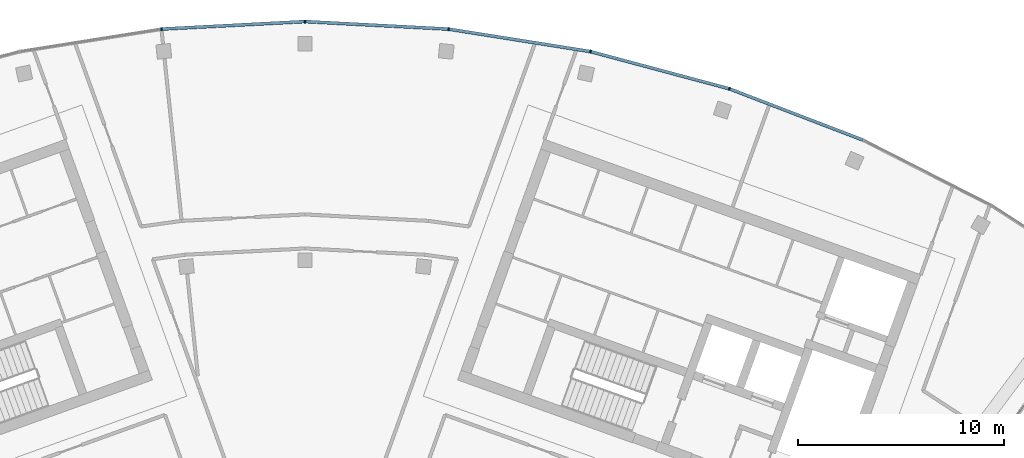
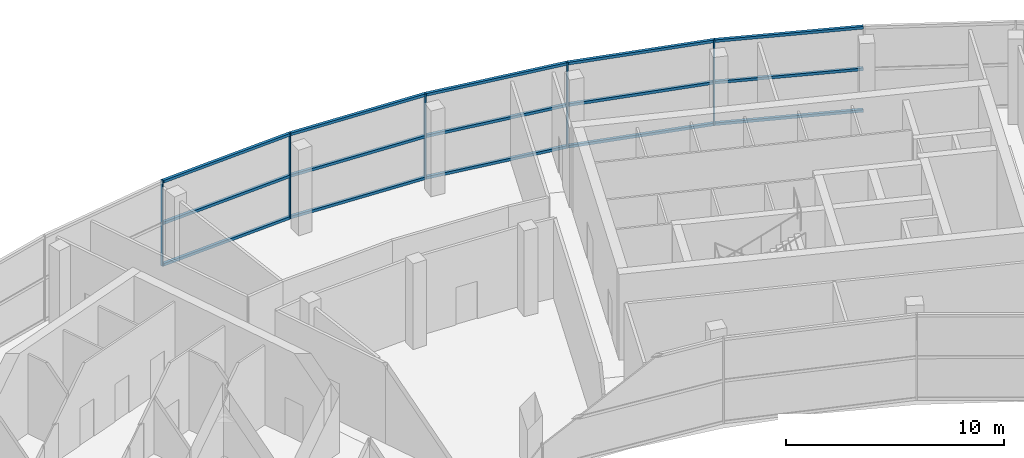
# One storey, part 5 of 13: 20 members, 1 element without a shape of its own.
"""IFC4 building model written with IfcOpenShell, lengths in metres."""

from ifc_helpers import new_model, si_unit, direction, frame, origin, origin_2d, place, context, subcontext, project, spatial, rectangle, extrude, material, layer, layer_set, material_profile, profile_set, type_object, element, aggregate, save


model = new_model("IFC4")

# Units and contexts
model_context = context("Model", 3, precision=1e-05, world=origin(), true_north=direction((0.0, 1.0)))
body_context = subcontext(model_context, "Body", "Model", "MODEL_VIEW")
ifc_project = project(units=[si_unit("LENGTHUNIT", "METRE"), si_unit("AREAUNIT", "SQUARE_METRE"), si_unit("VOLUMEUNIT", "CUBIC_METRE"), si_unit("PLANEANGLEUNIT", "RADIAN"), si_unit("MASSUNIT", "GRAM", prefix="KILO")], contexts=[model_context])

# Site, building, storey
site_placement = place(None, origin())
site = spatial("IfcSite", under=ifc_project, at=site_placement, CompositionType="ELEMENT")
building_placement = place(site_placement, origin())
building = spatial("IfcBuilding", under=site, at=building_placement, Name="Stone Belt Terrace Tower", CompositionType="ELEMENT")
storey_placement = place(building_placement, frame((0.0, 0.0, 332.60009765625)))
storey = spatial("IfcBuildingStorey", under=building, at=storey_placement, Name="L79", CompositionType="ELEMENT", Elevation=332.60009765625)

# Curtain wall, members
ifc_material = material(Name="Aluminium 6063-T6 anodised frame", Category="aluminium")
ifc_layer = layer(ifc_material, 0.14990234375)
ifc_layer_set = layer_set([ifc_layer], Name="CW-F observation floor curtain wall")
curtain_wall_type = type_object("IfcCurtainWallType", Name="CW-F observation floor curtain wall", PredefinedType="NOTDEFINED", material=ifc_layer_set)
curtain_wall_placement = place(storey_placement, origin())
curtain_wall = element("IfcCurtainWall", 1, at=curtain_wall_placement, inside=storey, type_object=curtain_wall_type, Name="CW-F convex face L79", PredefinedType="NOTDEFINED")
ifc_material_profile_1 = material_profile(ifc_material, rectangle(XDim=0.14990234375, YDim=0.070068359375, at=origin_2d()), Name="Aluminium 6063-T6 70x150")
ifc_profile_set_1 = profile_set([ifc_material_profile_1], Name="Aluminium 6063-T6 anodised frame")
member_type_1 = type_object("IfcMemberType", Name="CW-F mullion 70 x 150", PredefinedType="MULLION", material=ifc_profile_set_1)
member_1_placement = place(storey_placement, frame((20.57275390625, 63.316650390625, 0.0), z_axis=(0.0, 0.0, 1.0), x_axis=(-0.309016994375, -0.951056516295, 0.0)))
member_1 = element("IfcMember", 2, at=member_1_placement, type_object=member_type_1, Name="CW-F mullion 4", PredefinedType="MULLION", context=body_context, shape_type="SweptSolid", body=[
    extrude(rectangle(XDim=0.14990234375, YDim=0.070068359375, at=origin_2d()), origin(), (0.0, 0.0, 1.0), 4.7998046875),
])
member_2_placement = place(storey_placement, frame((13.841796875, 65.120361328125, 0.0), z_axis=(0.0, 0.0, 1.0), x_axis=(-0.207911690818, -0.978147600734, 0.0)))
member_2 = element("IfcMember", 3, at=member_2_placement, type_object=member_type_1, Name="CW-F mullion 5", PredefinedType="MULLION", context=body_context, shape_type="SweptSolid", body=[
    extrude(rectangle(XDim=0.14990234375, YDim=0.070068359375, at=origin_2d()), origin(), (0.0, 0.0, 1.0), 4.7998046875),
])
member_3_placement = place(storey_placement, frame((6.958984375, 66.21044921875, 0.0), z_axis=(0.0, 0.0, 1.0), x_axis=(-0.104528463268, -0.994521895368, 0.0)))
member_3 = element("IfcMember", 4, at=member_3_placement, type_object=member_type_1, Name="CW-F mullion 6", PredefinedType="MULLION", context=body_context, shape_type="SweptSolid", body=[
    extrude(rectangle(XDim=0.14990234375, YDim=0.070068359375, at=origin_2d()), origin(), (0.0, 0.0, 1.0), 4.7998046875),
])
member_4_placement = place(storey_placement, frame((0.0, 66.5751953125, 0.0), z_axis=(0.0, 0.0, 1.0), x_axis=(0.0, -1.0, 0.0)))
member_4 = element("IfcMember", 5, at=member_4_placement, type_object=member_type_1, Name="CW-F mullion 7", PredefinedType="MULLION", context=body_context, shape_type="SweptSolid", body=[
    extrude(rectangle(XDim=0.14990234375, YDim=0.070068359375, at=origin_2d()), origin(), (0.0, 0.0, 1.0), 4.7998046875),
])
member_5_placement = place(storey_placement, frame((-6.958984375, 66.21044921875, 0.0), z_axis=(0.0, 0.0, 1.0), x_axis=(0.104528463268, -0.994521895368, 0.0)))
member_5 = element("IfcMember", 6, at=member_5_placement, type_object=member_type_1, Name="CW-F mullion 8", PredefinedType="MULLION", context=body_context, shape_type="SweptSolid", body=[
    extrude(rectangle(XDim=0.14990234375, YDim=0.070068359375, at=origin_2d()), origin(), (0.0, 0.0, 1.0), 4.7998046875),
])
ifc_material_profile_2 = material_profile(ifc_material, rectangle(XDim=0.14990234375, YDim=0.14990234375, at=origin_2d()), Name="Aluminium 6063-T6 150x150")
ifc_profile_set_2 = profile_set([ifc_material_profile_2], Name="Aluminium 6063-T6 anodised frame")
member_type_2 = type_object("IfcMemberType", Name="CW-F transom 150 x 150", PredefinedType="USERDEFINED", material=ifc_profile_set_2)
member_6_placement = place(storey_placement, frame((27.042236328125, 60.833251953125, 0.074951171875), z_axis=(-0.933578261099, 0.358373590551, 0.0), x_axis=(-0.358373590551, -0.933578261099, 0.0)))
member_6 = element("IfcMember", 7, at=member_6_placement, type_object=member_type_2, Name="CW-F transom 3.1", ObjectType="TRANSOM", PredefinedType="USERDEFINED", context=body_context, shape_type="SweptSolid", body=[
    extrude(rectangle(XDim=0.14990234375, YDim=0.14990234375, at=origin_2d()), origin(), (0.0, 0.0, 1.0), 6.890869140625),
])
member_7_placement = place(storey_placement, frame((27.042236328125, 60.833251953125, 2.39990234375), z_axis=(-0.933578261099, 0.358373590551, 0.0), x_axis=(-0.358373590551, -0.933578261099, 0.0)))
member_7 = element("IfcMember", 8, at=member_7_placement, type_object=member_type_2, Name="CW-F transom 3.2", ObjectType="TRANSOM", PredefinedType="USERDEFINED", context=body_context, shape_type="SweptSolid", body=[
    extrude(rectangle(XDim=0.14990234375, YDim=0.14990234375, at=origin_2d()), origin(), (0.0, 0.0, 1.0), 6.890869140625),
])
member_8_placement = place(storey_placement, frame((27.042236328125, 60.833251953125, 4.724853515625), z_axis=(-0.933578261099, 0.358373590551, 0.0), x_axis=(-0.358373590551, -0.933578261099, 0.0)))
member_8 = element("IfcMember", 9, at=member_8_placement, type_object=member_type_2, Name="CW-F transom 3.3", ObjectType="TRANSOM", PredefinedType="USERDEFINED", context=body_context, shape_type="SweptSolid", body=[
    extrude(rectangle(XDim=0.14990234375, YDim=0.14990234375, at=origin_2d()), origin(), (0.0, 0.0, 1.0), 6.890869140625),
])
member_9_placement = place(storey_placement, frame((20.535400390625, 63.32666015625, 0.074951171875), z_axis=(-0.965926701698, 0.258815778011, 0.0), x_axis=(-0.258815778011, -0.965926701698, 0.0)))
member_9 = element("IfcMember", 10, at=member_9_placement, type_object=member_type_2, Name="CW-F transom 4.1", ObjectType="TRANSOM", PredefinedType="USERDEFINED", context=body_context, shape_type="SweptSolid", body=[
    extrude(rectangle(XDim=0.14990234375, YDim=0.14990234375, at=origin_2d()), origin(), (0.0, 0.0, 1.0), 6.890869140625),
])
member_10_placement = place(storey_placement, frame((20.535400390625, 63.32666015625, 2.39990234375), z_axis=(-0.965926701698, 0.258815778011, 0.0), x_axis=(-0.258815778011, -0.965926701698, 0.0)))
member_10 = element("IfcMember", 11, at=member_10_placement, type_object=member_type_2, Name="CW-F transom 4.2", ObjectType="TRANSOM", PredefinedType="USERDEFINED", context=body_context, shape_type="SweptSolid", body=[
    extrude(rectangle(XDim=0.14990234375, YDim=0.14990234375, at=origin_2d()), origin(), (0.0, 0.0, 1.0), 6.890869140625),
])
member_11_placement = place(storey_placement, frame((20.535400390625, 63.32666015625, 4.724853515625), z_axis=(-0.965926701698, 0.258815778011, 0.0), x_axis=(-0.258815778011, -0.965926701698, 0.0)))
member_11 = element("IfcMember", 12, at=member_11_placement, type_object=member_type_2, Name="CW-F transom 4.3", ObjectType="TRANSOM", PredefinedType="USERDEFINED", context=body_context, shape_type="SweptSolid", body=[
    extrude(rectangle(XDim=0.14990234375, YDim=0.14990234375, at=origin_2d()), origin(), (0.0, 0.0, 1.0), 6.890869140625),
])
member_12_placement = place(storey_placement, frame((13.80322265625, 65.12646484375, 0.074951171875), z_axis=(-0.987689890003, 0.156424682152, 0.0), x_axis=(-0.156424682152, -0.987689890003, 0.0)))
member_12 = element("IfcMember", 13, at=member_12_placement, type_object=member_type_2, Name="CW-F transom 5.1", ObjectType="TRANSOM", PredefinedType="USERDEFINED", context=body_context, shape_type="SweptSolid", body=[
    extrude(rectangle(XDim=0.14990234375, YDim=0.14990234375, at=origin_2d()), origin(), (0.0, 0.0, 1.0), 6.890625),
])
member_13_placement = place(storey_placement, frame((13.80322265625, 65.12646484375, 2.39990234375), z_axis=(-0.987689890003, 0.156424682152, 0.0), x_axis=(-0.156424682152, -0.987689890003, 0.0)))
member_13 = element("IfcMember", 14, at=member_13_placement, type_object=member_type_2, Name="CW-F transom 5.2", ObjectType="TRANSOM", PredefinedType="USERDEFINED", context=body_context, shape_type="SweptSolid", body=[
    extrude(rectangle(XDim=0.14990234375, YDim=0.14990234375, at=origin_2d()), origin(), (0.0, 0.0, 1.0), 6.890625),
])
member_14_placement = place(storey_placement, frame((13.80322265625, 65.12646484375, 4.724853515625), z_axis=(-0.987689890003, 0.156424682152, 0.0), x_axis=(-0.156424682152, -0.987689890003, 0.0)))
member_14 = element("IfcMember", 15, at=member_14_placement, type_object=member_type_2, Name="CW-F transom 5.3", ObjectType="TRANSOM", PredefinedType="USERDEFINED", context=body_context, shape_type="SweptSolid", body=[
    extrude(rectangle(XDim=0.14990234375, YDim=0.14990234375, at=origin_2d()), origin(), (0.0, 0.0, 1.0), 6.890625),
])
member_15_placement = place(storey_placement, frame((6.920166015625, 66.21240234375, 0.074951171875), z_axis=(-0.998629841506, 0.052330102743, 0.0), x_axis=(-0.052330102743, -0.998629841506, 0.0)))
member_15 = element("IfcMember", 16, at=member_15_placement, type_object=member_type_2, Name="CW-F transom 6.1", ObjectType="TRANSOM", PredefinedType="USERDEFINED", context=body_context, shape_type="SweptSolid", body=[
    extrude(rectangle(XDim=0.14990234375, YDim=0.14990234375, at=origin_2d()), origin(), (0.0, 0.0, 1.0), 6.890869140625),
])
member_16_placement = place(storey_placement, frame((6.920166015625, 66.21240234375, 2.39990234375), z_axis=(-0.998629841506, 0.052330102743, 0.0), x_axis=(-0.052330102743, -0.998629841506, 0.0)))
member_16 = element("IfcMember", 17, at=member_16_placement, type_object=member_type_2, Name="CW-F transom 6.2", ObjectType="TRANSOM", PredefinedType="USERDEFINED", context=body_context, shape_type="SweptSolid", body=[
    extrude(rectangle(XDim=0.14990234375, YDim=0.14990234375, at=origin_2d()), origin(), (0.0, 0.0, 1.0), 6.890869140625),
])
member_17_placement = place(storey_placement, frame((6.920166015625, 66.21240234375, 4.724853515625), z_axis=(-0.998629841506, 0.052330102743, 0.0), x_axis=(-0.052330102743, -0.998629841506, 0.0)))
member_17 = element("IfcMember", 18, at=member_17_placement, type_object=member_type_2, Name="CW-F transom 6.3", ObjectType="TRANSOM", PredefinedType="USERDEFINED", context=body_context, shape_type="SweptSolid", body=[
    extrude(rectangle(XDim=0.14990234375, YDim=0.14990234375, at=origin_2d()), origin(), (0.0, 0.0, 1.0), 6.890869140625),
])
member_18_placement = place(storey_placement, frame((-0.038818359375, 66.572998046875, 0.074951171875), z_axis=(-0.998629841506, -0.052330102743, 0.0), x_axis=(0.052330102743, -0.998629841506, 0.0)))
member_18 = element("IfcMember", 19, at=member_18_placement, type_object=member_type_2, Name="CW-F transom 7.1", ObjectType="TRANSOM", PredefinedType="USERDEFINED", context=body_context, shape_type="SweptSolid", body=[
    extrude(rectangle(XDim=0.14990234375, YDim=0.14990234375, at=origin_2d()), origin(), (0.0, 0.0, 1.0), 6.890869140625),
])
member_19_placement = place(storey_placement, frame((-0.038818359375, 66.572998046875, 2.39990234375), z_axis=(-0.998629841506, -0.052330102743, 0.0), x_axis=(0.052330102743, -0.998629841506, 0.0)))
member_19 = element("IfcMember", 20, at=member_19_placement, type_object=member_type_2, Name="CW-F transom 7.2", ObjectType="TRANSOM", PredefinedType="USERDEFINED", context=body_context, shape_type="SweptSolid", body=[
    extrude(rectangle(XDim=0.14990234375, YDim=0.14990234375, at=origin_2d()), origin(), (0.0, 0.0, 1.0), 6.890869140625),
])
member_20_placement = place(storey_placement, frame((-0.038818359375, 66.572998046875, 4.724853515625), z_axis=(-0.998629841506, -0.052330102743, 0.0), x_axis=(0.052330102743, -0.998629841506, 0.0)))
member_20 = element("IfcMember", 21, at=member_20_placement, type_object=member_type_2, Name="CW-F transom 7.3", ObjectType="TRANSOM", PredefinedType="USERDEFINED", context=body_context, shape_type="SweptSolid", body=[
    extrude(rectangle(XDim=0.14990234375, YDim=0.14990234375, at=origin_2d()), origin(), (0.0, 0.0, 1.0), 6.890869140625),
])
aggregate(curtain_wall, [member_1, member_2, member_3, member_4, member_5, member_6, member_7, member_8, member_9, member_10, member_11, member_12, member_13, member_14, member_15, member_16, member_17, member_18, member_19, member_20])

save(model, "model.ifc")
